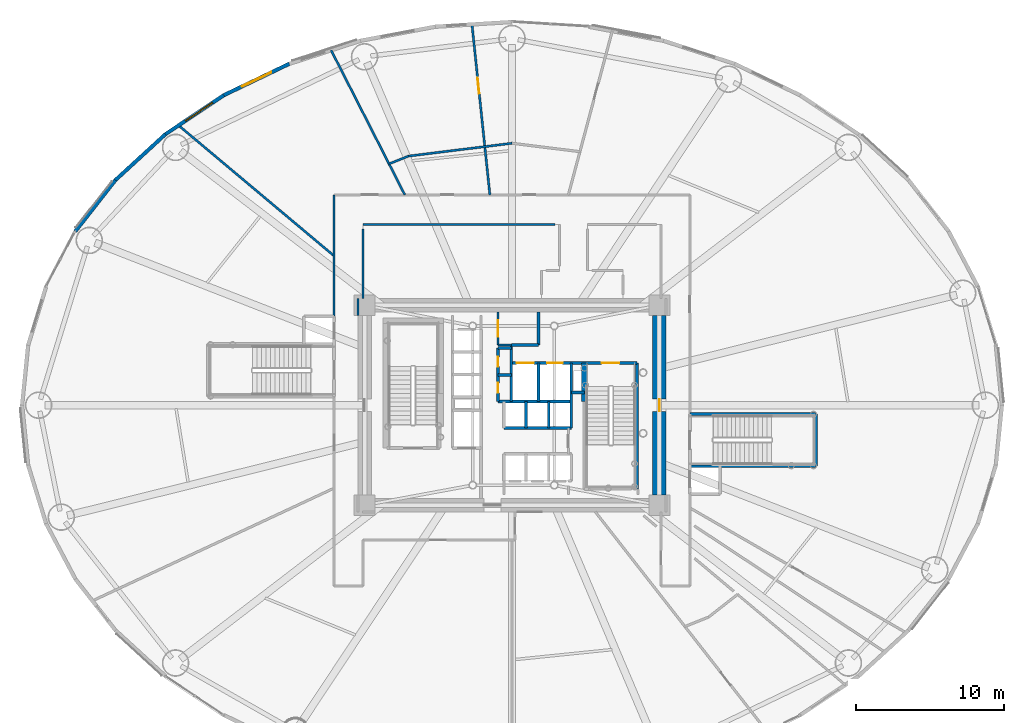
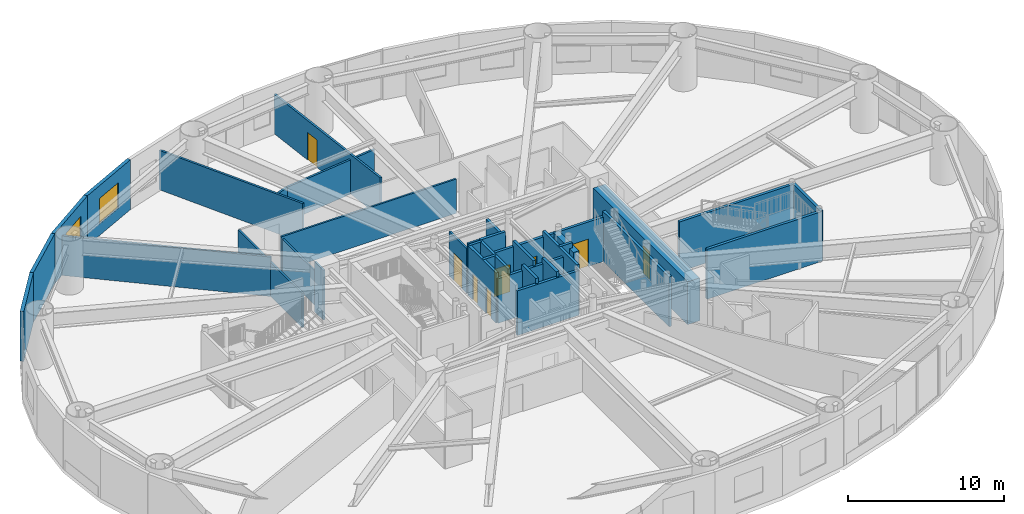
# One storey, part 15 of 27: 35 walls, 8 doors, 2 windows, 10 openings.
"""IFC4 building model written with IfcOpenShell, lengths in metres."""

from ifc_helpers import new_model, si_unit, direction, frame, frame_2d, origin, origin_2d, place, context, subcontext, project, spatial, rectangle, extrude, source, transform, mapped, material, layer, layer_set, type_object, element, fill, save


model = new_model("IFC4")

# Units and contexts
model_context = context("Model", 3, precision=1e-05, world=origin(), true_north=direction((0.0, 1.0)))
body_context = subcontext(model_context, "Body", "Model", "MODEL_VIEW")
ifc_project = project(units=[si_unit("LENGTHUNIT", "METRE"), si_unit("AREAUNIT", "SQUARE_METRE"), si_unit("VOLUMEUNIT", "CUBIC_METRE"), si_unit("PLANEANGLEUNIT", "RADIAN"), si_unit("MASSUNIT", "GRAM", prefix="KILO")], contexts=[model_context])

# Site, building, storey
site_placement = place(None, origin())
site = spatial("IfcSite", under=ifc_project, at=site_placement, CompositionType="ELEMENT")
building_placement = place(site_placement, origin())
building = spatial("IfcBuilding", under=site, at=building_placement, Name="Linh Dai School and Residence Tower", CompositionType="ELEMENT")
storey_placement = place(building_placement, frame((0.0, 0.0, 22.800048828125)))
storey = spatial("IfcBuildingStorey", under=building, at=storey_placement, Name="L05", CompositionType="ELEMENT", Elevation=22.800048828125)

# Wall, opening, window
ifc_material_1 = material(Name="Precast Concrete B45 (C35/45)", Category="concrete")
ifc_layer_1 = layer(ifc_material_1, 0.25)
ifc_layer_set_1 = layer_set([ifc_layer_1], Name="Precast Concrete B45 (C35/45)")
wall_type_1 = type_object("IfcWallType", Name="EW-TC-250", PredefinedType="SOLIDWALL", material=ifc_layer_set_1)
wall_1_placement = place(storey_placement, frame((16.54736328125, 47.92578125, 0.0), z_axis=(0.0, 0.0, 1.0), x_axis=(0.901559523397, 0.432655088692, 0.0)))
wall_1 = element("IfcWall", 1, at=wall_1_placement, inside=storey, type_object=wall_type_1, Name="L05 Terracotta Exterior Wall 14", PredefinedType="SOLIDWALL", context=body_context, shape_type="SweptSolid", body=[
    extrude(rectangle(XDim=4.909912109375, YDim=0.25, at=frame_2d((2.455078125, 0.0))), origin(), (0.0, 0.0, 1.0), 3.89990234375),
])
opening_1_placement = place(wall_1_placement, frame((1.35498046875, 0.0, 0.89990234375)))
opening_1 = element("IfcOpeningElement", 2, at=opening_1_placement, cuts=wall_1, Name="Opening W4", PredefinedType="OPENING", context=body_context, shape_type="SweptSolid", body=[
    extrude(rectangle(XDim=2.199951171875, YDim=2.0, at=origin_2d()), frame((1.10009765625, 0.135009765625, 1.0), z_axis=(0.0, -1.0, 0.0), x_axis=(1.0, 0.0, 0.0)), (0.0, 0.0, 1.0), 0.27001953125),
])
ifc_material_2 = material(Name="Acoustic Laminated Low-E Glazing", Category="glass")
window_type = type_object("IfcWindowType", Name="WN-SCH-2200x2000", PartitioningType="TRIPLE_PANEL_VERTICAL", PredefinedType="WINDOW", material=ifc_material_2)
shared_shape_1 = source(origin(), body_context, "Body", "SweptSolid", [
    extrude(rectangle(XDim=2.199951171875, YDim=2.0, at=origin_2d()), frame((1.10009765625, 0.030029296875, 1.0), z_axis=(0.0, -1.0, 0.0), x_axis=(1.0, 0.0, 0.0)), (0.0, 0.0, 1.0), 0.06005859375),
])
window_1_placement = place(opening_1_placement, origin())
window_1 = element("IfcWindow", 3, at=window_1_placement, inside=storey, type_object=window_type, Name="L05 Exterior Window 14.1", OverallHeight=2.0, OverallWidth=2.199951171875, PartitioningType="TRIPLE_PANEL_VERTICAL", PredefinedType="WINDOW", context=body_context, shape_type="MappedRepresentation", body=[
    mapped(shared_shape_1, transform((0.0, 0.0, 0.0), x_axis=(1.0, 0.0, 0.0), y_axis=(0.0, 1.0, 0.0), z_axis=(0.0, 0.0, 1.0), scale=1.0)),
])
fill(opening_1, window_1)

wall_2_placement = place(storey_placement, frame((12.60107421875, 45.286376953125, 0.0), z_axis=(0.0, 0.0, 1.0), x_axis=(0.831218664812, 0.555945618985, 0.0)))
wall_2 = element("IfcWall", 4, at=wall_2_placement, inside=storey, type_object=wall_type_1, Name="L05 Terracotta Exterior Wall 15", PredefinedType="SOLIDWALL", context=body_context, shape_type="SweptSolid", body=[
    extrude(rectangle(XDim=4.74755859375, YDim=0.25, at=frame_2d((2.373779296875, 0.0))), origin(), (0.0, 0.0, 1.0), 3.89990234375),
])
opening_2_placement = place(wall_2_placement, frame((1.635009765625, 0.0, 0.89990234375)))
opening_2 = element("IfcOpeningElement", 5, at=opening_2_placement, cuts=wall_2, Name="Opening W4", PredefinedType="OPENING", context=body_context, shape_type="SweptSolid", body=[
    extrude(rectangle(XDim=2.199951171875, YDim=2.0, at=origin_2d()), frame((1.10009765625, 0.135009765625, 1.0), z_axis=(0.0, -1.0, 0.0), x_axis=(1.0, 0.0, 0.0)), (0.0, 0.0, 1.0), 0.27001953125),
])
window_2_placement = place(opening_2_placement, origin())
window_2 = element("IfcWindow", 6, at=window_2_placement, inside=storey, type_object=window_type, Name="L05 Exterior Window 15.1", OverallHeight=2.0, OverallWidth=2.199951171875, PartitioningType="TRIPLE_PANEL_VERTICAL", PredefinedType="WINDOW", context=body_context, shape_type="MappedRepresentation", body=[
    mapped(shared_shape_1, transform((0.0, 0.0, 0.0), x_axis=(1.0, 0.0, 0.0), y_axis=(0.0, 1.0, 0.0), z_axis=(0.0, 0.0, 1.0), scale=1.0)),
])
fill(opening_2, window_2)

# Walls
wall_3_placement = place(storey_placement, frame((9.232177734375, 42.197509765625, 0.0), z_axis=(0.0, 0.0, 1.0), x_axis=(0.737076532105, 0.675809282136, 0.0)))
element("IfcWall", 7, at=wall_3_placement, inside=storey, type_object=wall_type_1, Name="L05 Terracotta Exterior Wall 16", PredefinedType="SOLIDWALL", context=body_context, shape_type="SweptSolid", body=[
    extrude(rectangle(XDim=4.570556640625, YDim=0.25, at=frame_2d((2.28515625, 0.0))), origin(), (0.0, 0.0, 1.0), 3.89990234375),
])
wall_4_placement = place(storey_placement, frame((6.5234375, 38.735595703125, 0.0), z_axis=(0.0, 0.0, 1.0), x_axis=(0.61622589112, 0.787569457961, 0.0)))
element("IfcWall", 8, at=wall_4_placement, inside=storey, type_object=wall_type_1, Name="L05 Terracotta Exterior Wall 17", PredefinedType="SOLIDWALL", context=body_context, shape_type="SweptSolid", body=[
    extrude(rectangle(XDim=4.395751953125, YDim=0.25, at=frame_2d((2.19775390625, 0.0))), origin(), (0.0, 0.0, 1.0), 3.89990234375),
])
ifc_material_3 = material(Name="Autoclaved Aerated Concrete Blockwork", Category="masonry")
ifc_layer_2 = layer(ifc_material_3, 0.135009765625)
ifc_layer_set_2 = layer_set([ifc_layer_2], Name="Autoclaved Aerated Concrete Blockwork")
wall_type_2 = type_object("IfcWallType", Name="IW-CORR-135-EI90", PredefinedType="PARTITIONING", material=ifc_layer_set_2)
wall_5_placement = place(storey_placement, frame((24.0, 33.010009765625, 0.0), z_axis=(0.0, 0.0, 1.0), x_axis=(0.0, 1.0, 0.0)))
element("IfcWall", 9, at=wall_5_placement, inside=storey, type_object=wall_type_2, Name="L05 Interior Partition Wall 012", PredefinedType="PARTITIONING", context=body_context, shape_type="SweptSolid", body=[
    extrude(rectangle(XDim=8.18994140625, YDim=0.135009765625, at=frame_2d((4.094970703125, 0.0))), origin(), (0.0, 0.0, 1.0), 2.68505859375),
])

# Wall, opening, door
wall_6_placement = place(storey_placement, frame((35.050048828125, 31.050048828125, 0.0), z_axis=(0.0, 0.0, 1.0), x_axis=(0.0, 1.0, 0.0)))
wall_6 = element("IfcWall", 10, at=wall_6_placement, inside=storey, type_object=wall_type_2, Name="L05 Interior Partition Wall 032", PredefinedType="PARTITIONING", context=body_context, shape_type="SweptSolid", body=[
    extrude(rectangle(XDim=2.25, YDim=0.135009765625, at=frame_2d((1.125, 0.0))), origin(), (0.0, 0.0, 1.0), 3.48486328125),
])
opening_3_placement = place(wall_6_placement, frame((0.574951171875, 0.0, 0.0)))
opening_3 = element("IfcOpeningElement", 11, at=opening_3_placement, cuts=wall_6, Name="Opening D07", PredefinedType="OPENING", context=body_context, shape_type="SweptSolid", body=[
    extrude(rectangle(XDim=1.10009765625, YDim=2.14990234375, at=origin_2d()), frame((0.550048828125, 0.07763671875, 1.074951171875), z_axis=(0.0, -1.0, 0.0), x_axis=(1.0, 0.0, 0.0)), (0.0, 0.0, 1.0), 0.155029296875),
])
ifc_material_4 = material(Name="Fire-Rated Louvred Steel Plant Door", Category="steel")
door_type_1 = type_object("IfcDoorType", Name="DR-PLT-1100x2150-FD60S", OperationType="NOTDEFINED", PredefinedType="DOOR", material=ifc_material_4)
shared_shape_2 = source(origin(), body_context, "Body", "SweptSolid", [
    extrude(rectangle(XDim=1.10009765625, YDim=2.14990234375, at=origin_2d()), frame((0.550048828125, 0.02490234375, 1.074951171875), z_axis=(0.0, -1.0, 0.0), x_axis=(1.0, 0.0, 0.0)), (0.0, 0.0, 1.0), 0.050048828125),
])
door_1_placement = place(opening_3_placement, origin())
door_1 = element("IfcDoor", 12, at=door_1_placement, inside=storey, type_object=door_type_1, Name="L05 North BMS Switchroom Door", OperationType="SINGLE_SWING_RIGHT", OverallHeight=2.14990234375, OverallWidth=1.10009765625, PredefinedType="DOOR", context=body_context, shape_type="MappedRepresentation", body=[
    mapped(shared_shape_2, transform((0.0, 0.0, 0.0), x_axis=(1.0, 0.0, 0.0), y_axis=(0.0, 1.0, 0.0), z_axis=(0.0, 0.0, 1.0), scale=1.0)),
])
fill(opening_3, door_1)

# Walls
wall_7_placement = place(storey_placement, frame((35.050048828125, 31.050048828125, 0.0), z_axis=(0.0, 0.0, 1.0), x_axis=(1.0, 0.0, 0.0)))
element("IfcWall", 13, at=wall_7_placement, inside=storey, type_object=wall_type_2, Name="L05 Interior Partition Wall 033", PredefinedType="PARTITIONING", context=body_context, shape_type="SweptSolid", body=[
    extrude(rectangle(XDim=0.89990234375, YDim=0.135009765625, at=frame_2d((0.449951171875, 0.0))), origin(), (0.0, 0.0, 1.0), 3.89990234375),
])
wall_8_placement = place(storey_placement, frame((38.892578125, 39.199951171875, 0.0), z_axis=(0.0, 0.0, 1.0), x_axis=(-1.0, 0.0, 0.0)))
element("IfcWall", 14, at=wall_8_placement, inside=storey, type_object=wall_type_2, Name="L05 Interior Partition Wall 096", PredefinedType="PARTITIONING", context=body_context, shape_type="SweptSolid", body=[
    extrude(rectangle(XDim=12.942626953125, YDim=0.135009765625, at=frame_2d((6.47119140625, 0.0))), origin(), (0.0, 0.0, 1.0), 2.68505859375),
])
wall_9_placement = place(storey_placement, frame((25.949951171875, 38.892578125, 0.0), z_axis=(0.0, 0.0, 1.0), x_axis=(0.0, -1.0, 0.0)))
element("IfcWall", 15, at=wall_9_placement, inside=storey, type_object=wall_type_2, Name="L05 Interior Partition Wall 097", PredefinedType="PARTITIONING", context=body_context, shape_type="SweptSolid", body=[
    extrude(rectangle(XDim=4.692626953125, YDim=0.135009765625, at=frame_2d((2.34619140625, 0.0))), origin(), (0.0, 0.0, 1.0), 2.68505859375),
])
wall_10_placement = place(storey_placement, frame((25.60009765625, 34.199951171875, 0.0), z_axis=(0.0, 0.0, 1.0), x_axis=(0.0, -1.0, 0.0)))
element("IfcWall", 16, at=wall_10_placement, inside=storey, type_object=wall_type_2, Name="L05 Interior Partition Wall 098", PredefinedType="PARTITIONING", context=body_context, shape_type="SweptSolid", body=[
    extrude(rectangle(XDim=1.139892578125, YDim=0.135009765625, at=frame_2d((0.56982421875, 0.0))), origin(), (0.0, 0.0, 1.0), 3.89990234375),
])
ifc_layer_3 = layer(ifc_material_3, 0.14990234375)
ifc_layer_set_3 = layer_set([ifc_layer_3], Name="Autoclaved Aerated Concrete Blockwork")
wall_type_3 = type_object("IfcWallType", Name="IW-SCH-150-EI60", PredefinedType="PARTITIONING", material=ifc_layer_set_3)
wall_11_placement = place(storey_placement, frame((13.49072265625, 45.887451171875, 0.0), z_axis=(0.0, 0.0, 1.0), x_axis=(0.766043415451, -0.642788834412, 0.0)))
element("IfcWall", 17, at=wall_11_placement, inside=storey, type_object=wall_type_3, Name="L05 Interior Partition Wall 002", PredefinedType="PARTITIONING", context=body_context, shape_type="SweptSolid", body=[
    extrude(rectangle(XDim=13.718994140625, YDim=0.14990234375, at=frame_2d((6.859375, 0.0))), origin(), (0.0, 0.0, 1.0), 3.0849609375),
])
wall_12_placement = place(storey_placement, frame((23.78759765625, 50.968017578125, 0.0), z_axis=(0.0, 0.0, 1.0), x_axis=(0.454006177252, -0.890998535923, 0.0)))
element("IfcWall", 18, at=wall_12_placement, inside=storey, type_object=wall_type_3, Name="L05 Interior Partition Wall 008", PredefinedType="PARTITIONING", context=body_context, shape_type="SweptSolid", body=[
    extrude(rectangle(XDim=10.963134765625, YDim=0.14990234375, at=frame_2d((5.4814453125, 0.0))), origin(), (0.0, 0.0, 1.0), 3.0849609375),
])
wall_13_placement = place(storey_placement, frame((27.701416015625, 43.287109375, 0.0), z_axis=(0.0, 0.0, 1.0), x_axis=(0.928795675894, 0.370592218539, 0.0)))
element("IfcWall", 19, at=wall_13_placement, inside=storey, type_object=wall_type_3, Name="L05 Interior Partition Wall 017", PredefinedType="PARTITIONING", context=body_context, shape_type="SweptSolid", body=[
    extrude(rectangle(XDim=1.423583984375, YDim=0.14990234375, at=frame_2d((0.7119140625, 0.0))), origin(), (0.0, 0.0, 1.0), 2.68505859375),
])
wall_14_placement = place(storey_placement, frame((29.023681640625, 43.814697265625, 0.0), z_axis=(0.0, 0.0, 1.0), x_axis=(0.992396567923, 0.1230814851, 0.0)))
element("IfcWall", 20, at=wall_14_placement, inside=storey, type_object=wall_type_3, Name="L05 Interior Partition Wall 018", PredefinedType="PARTITIONING", context=body_context, shape_type="SweptSolid", body=[
    extrude(rectangle(XDim=7.02978515625, YDim=0.14990234375, at=frame_2d((3.514892578125, 0.0))), origin(), (0.0, 0.0, 1.0), 2.68505859375),
])

# Wall, opening, door
wall_15_placement = place(storey_placement, frame((33.29736328125, 52.71337890625, 0.0), z_axis=(0.0, 0.0, 1.0), x_axis=(0.104536584826, -0.994521041725, 0.0)))
wall_15 = element("IfcWall", 21, at=wall_15_placement, inside=storey, type_object=wall_type_3, Name="L05 Interior Partition Wall 026", PredefinedType="PARTITIONING", context=body_context, shape_type="SweptSolid", body=[
    extrude(rectangle(XDim=11.576904296875, YDim=0.14990234375, at=frame_2d((5.78857421875, 0.0))), origin(), (0.0, 0.0, 1.0), 3.0849609375),
])
opening_4_placement = place(wall_15_placement, frame((3.648193359375, 0.0, 0.0)))
opening_4 = element("IfcOpeningElement", 22, at=opening_4_placement, cuts=wall_15, Name="Opening D04", PredefinedType="OPENING", context=body_context, shape_type="SweptSolid", body=[
    extrude(rectangle(XDim=1.050048828125, YDim=2.14990234375, at=origin_2d()), frame((0.52490234375, 0.0849609375, 1.074951171875), z_axis=(0.0, -1.0, 0.0), x_axis=(1.0, 0.0, 0.0)), (0.0, 0.0, 1.0), 0.169921875),
])
ifc_material_5 = material(Name="Acoustic Vision-Panel Timber Classroom Door", Category="wood")
door_type_2 = type_object("IfcDoorType", Name="DR-SCH-1050x2150-FD60S", OperationType="NOTDEFINED", PredefinedType="DOOR", material=ifc_material_5)
shared_shape_3 = source(origin(), body_context, "Body", "SweptSolid", [
    extrude(rectangle(XDim=1.050048828125, YDim=2.14990234375, at=origin_2d()), frame((0.52490234375, 0.02490234375, 1.074951171875), z_axis=(0.0, -1.0, 0.0), x_axis=(1.0, 0.0, 0.0)), (0.0, 0.0, 1.0), 0.050048828125),
])
door_2_placement = place(opening_4_placement, origin())
door_2 = element("IfcDoor", 23, at=door_2_placement, inside=storey, type_object=door_type_2, Name="L05 Resource Study Room CHG2 Door", OperationType="SINGLE_SWING_RIGHT", OverallHeight=2.14990234375, OverallWidth=1.050048828125, PredefinedType="DOOR", context=body_context, shape_type="MappedRepresentation", body=[
    mapped(shared_shape_3, transform((0.0, 0.0, 0.0), x_axis=(1.0, 0.0, 0.0), y_axis=(0.0, 1.0, 0.0), z_axis=(0.0, 0.0, 1.0), scale=1.0)),
])
fill(opening_4, door_2)

# Wall, openings, doors
ifc_material_6 = material(Name="Concrete B45 (C35/45)", Category="concrete")
ifc_layer_4 = layer(ifc_material_6, 0.199951171875)
ifc_layer_set_4 = layer_set([ifc_layer_4], Name="Concrete B45 (C35/45)")
wall_type_4 = type_object("IfcWallType", Name="IW-SHAFT-200-EI120", PredefinedType="PARTITIONING", material=ifc_layer_set_4)
wall_16_placement = place(storey_placement, frame((35.050048828125, 27.25, 0.0), z_axis=(0.0, 0.0, 1.0), x_axis=(0.0, 1.0, 0.0)))
wall_16 = element("IfcWall", 24, at=wall_16_placement, inside=storey, type_object=wall_type_4, Name="L05 Interior Partition Wall 028", PredefinedType="PARTITIONING", context=body_context, shape_type="SweptSolid", body=[
    extrude(rectangle(XDim=3.60009765625, YDim=0.199951171875, at=frame_2d((1.800048828125, 0.0))), origin(), (0.0, 0.0, 1.0), 3.89990234375),
])
opening_5_placement = place(wall_16_placement, frame((0.590087890625, 0.0, 0.0)))
opening_5 = element("IfcOpeningElement", 25, at=opening_5_placement, cuts=wall_16, Name="Opening AD1", PredefinedType="OPENING", context=body_context, shape_type="SweptSolid", body=[
    extrude(rectangle(XDim=0.659912109375, YDim=2.050048828125, at=origin_2d()), frame((0.330078125, 0.10986328125, 1.02490234375), z_axis=(0.0, -1.0, 0.0), x_axis=(1.0, 0.0, 0.0)), (0.0, 0.0, 1.0), 0.219970703125),
])
opening_6_placement = place(wall_16_placement, frame((2.35009765625, 0.0, 0.0)))
opening_6 = element("IfcOpeningElement", 26, at=opening_6_placement, cuts=wall_16, Name="Opening AD1", PredefinedType="OPENING", context=body_context, shape_type="SweptSolid", body=[
    extrude(rectangle(XDim=0.659912109375, YDim=2.050048828125, at=origin_2d()), frame((0.330078125, 0.10986328125, 1.02490234375), z_axis=(0.0, -1.0, 0.0), x_axis=(1.0, 0.0, 0.0)), (0.0, 0.0, 1.0), 0.219970703125),
])
ifc_material_7 = material(Name="Fire-Rated Steel Riser Access Door", Category="steel")
door_type_3 = type_object("IfcDoorType", Name="DR-ACC-660x2050-FD90S", OperationType="NOTDEFINED", PredefinedType="USERDEFINED", material=ifc_material_7)
shared_shape_4 = source(origin(), body_context, "Body", "SweptSolid", [
    extrude(rectangle(XDim=0.659912109375, YDim=2.050048828125, at=origin_2d()), frame((0.330078125, 0.02490234375, 1.02490234375), z_axis=(0.0, -1.0, 0.0), x_axis=(1.0, 0.0, 0.0)), (0.0, 0.0, 1.0), 0.050048828125),
])
door_3_placement = place(opening_5_placement, origin())
door_3 = element("IfcDoor", 27, at=door_3_placement, inside=storey, type_object=door_type_3, Name="L05 Telecom and Data Riser Access Door", ObjectType="ACCESS DOOR", OperationType="SINGLE_SWING_RIGHT", OverallHeight=2.050048828125, OverallWidth=0.659912109375, PredefinedType="USERDEFINED", context=body_context, shape_type="MappedRepresentation", body=[
    mapped(shared_shape_4, transform((0.0, 0.0, 0.0), x_axis=(1.0, 0.0, 0.0), y_axis=(0.0, 1.0, 0.0), z_axis=(0.0, 0.0, 1.0), scale=1.0)),
])
fill(opening_5, door_3)
door_4_placement = place(opening_6_placement, origin())
door_4 = element("IfcDoor", 28, at=door_4_placement, inside=storey, type_object=door_type_3, Name="L05 Mechanical and Plumbing Riser Access Door", ObjectType="ACCESS DOOR", OperationType="SINGLE_SWING_LEFT", OverallHeight=2.050048828125, OverallWidth=0.659912109375, PredefinedType="USERDEFINED", context=body_context, shape_type="MappedRepresentation", body=[
    mapped(shared_shape_4, transform((0.0, 0.0, 0.0), x_axis=(1.0, 0.0, 0.0), y_axis=(0.0, 1.0, 0.0), z_axis=(0.0, 0.0, 1.0), scale=1.0)),
])
fill(opening_6, door_4)

# Walls
wall_17_placement = place(storey_placement, frame((35.050048828125, 27.25, 0.0), z_axis=(0.0, 0.0, 1.0), x_axis=(1.0, 0.0, 0.0)))
element("IfcWall", 29, at=wall_17_placement, inside=storey, type_object=wall_type_4, Name="L05 Interior Partition Wall 029", PredefinedType="PARTITIONING", context=body_context, shape_type="SweptSolid", body=[
    extrude(rectangle(XDim=4.949951171875, YDim=0.199951171875, at=frame_2d((2.47509765625, 0.0))), origin(), (0.0, 0.0, 1.0), 3.48486328125),
])
for number, where, z_axis, x_axis, name in (
    (30, (35.050048828125, 29.050048828125, 0.0), (0.0, 0.0, 1.0), (1.0, 0.0, 0.0), "L05 Interior Partition Wall 030"),
    (31, (35.050048828125, 30.85009765625, 0.0), (0.0, 0.0, 1.0), (1.0, 0.0, 0.0), "L05 Interior Partition Wall 031"),
):
    element("IfcWall", number, at=place(storey_placement, frame(where, z_axis=z_axis, x_axis=x_axis)), inside=storey, type_object=wall_type_4, Name=name, PredefinedType="PARTITIONING", context=body_context, shape_type="SweptSolid", body=[
        extrude(rectangle(XDim=0.89990234375, YDim=0.199951171875, at=frame_2d((0.449951171875, 0.0))), origin(), (0.0, 0.0, 1.0), 3.89990234375),
    ])
wall_18_placement = place(storey_placement, frame((35.449951171875, 25.449951171875, 0.0), z_axis=(0.0, 0.0, 1.0), x_axis=(1.0, 0.0, 0.0)))
element("IfcWall", 32, at=wall_18_placement, inside=storey, type_object=wall_type_4, Name="L05 Interior Partition Wall 037", PredefinedType="PARTITIONING", context=body_context, shape_type="SweptSolid", body=[
    extrude(rectangle(XDim=4.550048828125, YDim=0.199951171875, at=frame_2d((2.27490234375, 0.0))), origin(), (0.0, 0.0, 1.0), 3.48486328125),
])
wall_19_placement = place(storey_placement, frame((35.949951171875, 27.25, 0.0), z_axis=(0.0, 0.0, 1.0), x_axis=(0.0, 1.0, 0.0)))
element("IfcWall", 33, at=wall_19_placement, inside=storey, type_object=wall_type_4, Name="L05 Interior Partition Wall 038", PredefinedType="PARTITIONING", context=body_context, shape_type="SweptSolid", body=[
    extrude(rectangle(XDim=3.800048828125, YDim=0.199951171875, at=frame_2d((1.89990234375, 0.0))), origin(), (0.0, 0.0, 1.0), 3.89990234375),
])

# Wall, openings, doors
wall_20_placement = place(storey_placement, frame((35.949951171875, 29.85009765625, 0.0), z_axis=(0.0, 0.0, 1.0), x_axis=(1.0, 0.0, 0.0)))
wall_20 = element("IfcWall", 34, at=wall_20_placement, inside=storey, type_object=wall_type_4, Name="L05 Interior Partition Wall 039", PredefinedType="PARTITIONING", context=body_context, shape_type="SweptSolid", body=[
    extrude(rectangle(XDim=8.489990234375, YDim=0.199951171875, at=frame_2d((4.2451171875, 0.0))), origin(), (0.0, 0.0, 1.0), 3.48486328125),
])
opening_7_placement = place(wall_20_placement, frame((6.10009765625, 0.0, 0.0)))
opening_7 = element("IfcOpeningElement", 35, at=opening_7_placement, cuts=wall_20, Name="Opening D01", PredefinedType="OPENING", context=body_context, shape_type="SweptSolid", body=[
    extrude(rectangle(XDim=1.199951171875, YDim=2.14990234375, at=origin_2d()), frame((0.60009765625, 0.10986328125, 1.074951171875), z_axis=(0.0, -1.0, 0.0), x_axis=(1.0, 0.0, 0.0)), (0.0, 0.0, 1.0), 0.219970703125),
])
opening_8_placement = place(wall_20_placement, frame((0.3701171875, 0.0, 0.0)))
opening_8 = element("IfcOpeningElement", 36, at=opening_8_placement, cuts=wall_20, Name="Opening LD-FF1", PredefinedType="OPENING", context=body_context, shape_type="SweptSolid", body=[
    extrude(rectangle(XDim=1.14990234375, YDim=2.14990234375, at=origin_2d()), frame((0.574951171875, 0.10986328125, 1.074951171875), z_axis=(0.0, -1.0, 0.0), x_axis=(1.0, 0.0, 0.0)), (0.0, 0.0, 1.0), 0.219970703125),
])
opening_9_placement = place(wall_20_placement, frame((2.425048828125, 0.0, 0.0)))
opening_9 = element("IfcOpeningElement", 37, at=opening_9_placement, cuts=wall_20, Name="Opening LD-SV1", PredefinedType="OPENING", context=body_context, shape_type="SweptSolid", body=[
    extrude(rectangle(XDim=1.050048828125, YDim=2.14990234375, at=origin_2d()), frame((0.52490234375, 0.10986328125, 1.074951171875), z_axis=(0.0, -1.0, 0.0), x_axis=(1.0, 0.0, 0.0)), (0.0, 0.0, 1.0), 0.219970703125),
])
ifc_material_8 = material(Name="Fire-Rated Steel Door Leaf", Category="steel")
door_type_4 = type_object("IfcDoorType", Name="DR-STAIR-1200x2150-FD90S", OperationType="NOTDEFINED", PredefinedType="DOOR", material=ifc_material_8)
shared_shape_5 = source(origin(), body_context, "Body", "SweptSolid", [
    extrude(rectangle(XDim=1.199951171875, YDim=2.14990234375, at=origin_2d()), frame((0.60009765625, 0.02490234375, 1.074951171875), z_axis=(0.0, -1.0, 0.0), x_axis=(1.0, 0.0, 0.0)), (0.0, 0.0, 1.0), 0.050048828125),
])
door_5_placement = place(opening_7_placement, origin())
door_5 = element("IfcDoor", 38, at=door_5_placement, inside=storey, type_object=door_type_4, Name="L05 Core Smokeproof Exit Stair ST2 Door", OperationType="SINGLE_SWING_LEFT", OverallHeight=2.14990234375, OverallWidth=1.199951171875, PredefinedType="DOOR", context=body_context, shape_type="MappedRepresentation", body=[
    mapped(shared_shape_5, transform((0.0, 0.0, 0.0), x_axis=(1.0, 0.0, 0.0), y_axis=(0.0, 1.0, 0.0), z_axis=(0.0, 0.0, 1.0), scale=1.0)),
])
fill(opening_7, door_5)
ifc_material_9 = material(Name="Fire-Rated Stainless Steel Firefighting Lift Door", Category="steel")
door_type_5 = type_object("IfcDoorType", Name="DR-LD-FF-1150x2150-FD120", OperationType="DOUBLE_DOOR_SLIDING", PredefinedType="USERDEFINED", material=ifc_material_9)
shared_shape_6 = source(origin(), body_context, "Body", "SweptSolid", [
    extrude(rectangle(XDim=1.14990234375, YDim=2.14990234375, at=origin_2d()), frame((0.574951171875, 0.02490234375, 1.074951171875), z_axis=(0.0, -1.0, 0.0), x_axis=(1.0, 0.0, 0.0)), (0.0, 0.0, 1.0), 0.050048828125),
])
door_6_placement = place(opening_8_placement, origin())
door_6 = element("IfcDoor", 39, at=door_6_placement, inside=storey, type_object=door_type_5, Name="L05 Lift FF1 Sliding Landing Door", ObjectType="LANDING DOOR", OperationType="DOUBLE_DOOR_SLIDING", OverallHeight=2.14990234375, OverallWidth=1.14990234375, PredefinedType="USERDEFINED", context=body_context, shape_type="MappedRepresentation", body=[
    mapped(shared_shape_6, transform((0.0, 0.0, 0.0), x_axis=(1.0, 0.0, 0.0), y_axis=(0.0, 1.0, 0.0), z_axis=(0.0, 0.0, 1.0), scale=1.0)),
])
fill(opening_8, door_6)
ifc_material_10 = material(Name="Brushed Stainless Steel Lift Landing Door", Category="steel")
door_type_6 = type_object("IfcDoorType", Name="DR-LD-PASS-1050x2150", OperationType="DOUBLE_DOOR_SLIDING", PredefinedType="USERDEFINED", material=ifc_material_10)
shared_shape_7 = source(origin(), body_context, "Body", "SweptSolid", [
    extrude(rectangle(XDim=1.050048828125, YDim=2.14990234375, at=origin_2d()), frame((0.52490234375, 0.02490234375, 1.074951171875), z_axis=(0.0, -1.0, 0.0), x_axis=(1.0, 0.0, 0.0)), (0.0, 0.0, 1.0), 0.050048828125),
])
door_7_placement = place(opening_9_placement, origin())
door_7 = element("IfcDoor", 40, at=door_7_placement, inside=storey, type_object=door_type_6, Name="L05 Lift SV1 Sliding Landing Door", ObjectType="LANDING DOOR", OperationType="DOUBLE_DOOR_SLIDING", OverallHeight=2.14990234375, OverallWidth=1.050048828125, PredefinedType="USERDEFINED", context=body_context, shape_type="MappedRepresentation", body=[
    mapped(shared_shape_7, transform((0.0, 0.0, 0.0), x_axis=(1.0, 0.0, 0.0), y_axis=(0.0, 1.0, 0.0), z_axis=(0.0, 0.0, 1.0), scale=1.0)),
])
fill(opening_9, door_7)

# Walls
wall_21_placement = place(storey_placement, frame((35.9599609375, 31.050048828125, 0.0), z_axis=(0.0, 0.0, 1.0), x_axis=(1.0, 0.0, 0.0)))
element("IfcWall", 41, at=wall_21_placement, inside=storey, type_object=wall_type_4, Name="L05 Interior Partition Wall 040", PredefinedType="PARTITIONING", context=body_context, shape_type="SweptSolid", body=[
    extrude(rectangle(XDim=1.840087890625, YDim=0.199951171875, at=frame_2d((0.919921875, 0.0))), origin(), (0.0, 0.0, 1.0), 3.89990234375),
])
wall_22_placement = place(storey_placement, frame((36.9599609375, 25.449951171875, 0.0), z_axis=(0.0, 0.0, 1.0), x_axis=(0.0, 1.0, 0.0)))
element("IfcWall", 42, at=wall_22_placement, inside=storey, type_object=wall_type_4, Name="L05 Interior Partition Wall 045", PredefinedType="PARTITIONING", context=body_context, shape_type="SweptSolid", body=[
    extrude(rectangle(XDim=1.800048828125, YDim=0.199951171875, at=frame_2d((0.89990234375, 0.0))), origin(), (0.0, 0.0, 1.0), 3.89990234375),
])
wall_23_placement = place(storey_placement, frame((37.800048828125, 27.25, 0.0), z_axis=(0.0, 0.0, 1.0), x_axis=(0.0, 1.0, 0.0)))
element("IfcWall", 43, at=wall_23_placement, inside=storey, type_object=wall_type_4, Name="L05 Interior Partition Wall 046", PredefinedType="PARTITIONING", context=body_context, shape_type="SweptSolid", body=[
    extrude(rectangle(XDim=2.60009765625, YDim=0.199951171875, at=frame_2d((1.300048828125, 0.0))), origin(), (0.0, 0.0, 1.0), 3.89990234375),
])
wall_24_placement = place(storey_placement, frame((37.800048828125, 31.050048828125, 0.0), z_axis=(0.0, 0.0, 1.0), x_axis=(0.0, 1.0, 0.0)))
element("IfcWall", 44, at=wall_24_placement, inside=storey, type_object=wall_type_4, Name="L05 Interior Partition Wall 047", PredefinedType="PARTITIONING", context=body_context, shape_type="SweptSolid", body=[
    extrude(rectangle(XDim=2.25, YDim=0.199951171875, at=frame_2d((1.125, 0.0))), origin(), (0.0, 0.0, 1.0), 3.48486328125),
])
wall_25_placement = place(storey_placement, frame((38.47998046875, 25.449951171875, 0.0), z_axis=(0.0, 0.0, 1.0), x_axis=(0.0, 1.0, 0.0)))
element("IfcWall", 45, at=wall_25_placement, inside=storey, type_object=wall_type_4, Name="L05 Interior Partition Wall 049", PredefinedType="PARTITIONING", context=body_context, shape_type="SweptSolid", body=[
    extrude(rectangle(XDim=1.800048828125, YDim=0.199951171875, at=frame_2d((0.89990234375, 0.0))), origin(), (0.0, 0.0, 1.0), 3.89990234375),
])
wall_26_placement = place(storey_placement, frame((40.0, 25.449951171875, 0.0), z_axis=(0.0, 0.0, 1.0), x_axis=(0.0, 1.0, 0.0)))
element("IfcWall", 46, at=wall_26_placement, inside=storey, type_object=wall_type_4, Name="L05 Interior Partition Wall 054", PredefinedType="PARTITIONING", context=body_context, shape_type="SweptSolid", body=[
    extrude(rectangle(XDim=4.400146484375, YDim=0.199951171875, at=frame_2d((2.2001953125, 0.0))), origin(), (0.0, 0.0, 1.0), 3.89990234375),
])
wall_27_placement = place(storey_placement, frame((40.0, 27.85009765625, 0.0), z_axis=(0.0, 0.0, 1.0), x_axis=(1.0, 0.0, 0.0)))
element("IfcWall", 47, at=wall_27_placement, inside=storey, type_object=wall_type_4, Name="L05 Interior Partition Wall 055", PredefinedType="PARTITIONING", context=body_context, shape_type="SweptSolid", body=[
    extrude(rectangle(XDim=0.89990234375, YDim=0.199951171875, at=frame_2d((0.449951171875, 0.0))), origin(), (0.0, 0.0, 1.0), 3.89990234375),
])
for number, where, z_axis, x_axis, name in (
    (48, (44.43994140625, 21.330078125, 0.0), (0.0, 0.0, 1.0), (0.0, 1.0, 0.0), "L05 Interior Partition Wall 059"),
    (49, (48.0, 22.8798828125, 0.0), (0.0, 0.0, 1.0), (1.0, 0.0, 0.0), "L05 Interior Partition Wall 068"),
    (50, (48.0, 26.419921875, 0.0), (0.0, 0.0, 1.0), (1.0, 0.0, 0.0), "L05 Interior Partition Wall 070"),
):
    element("IfcWall", number, at=place(storey_placement, frame(where, z_axis=z_axis, x_axis=x_axis)), inside=storey, type_object=wall_type_4, Name=name, PredefinedType="PARTITIONING", context=body_context, shape_type="SweptSolid", body=[
        extrude(rectangle(XDim=8.52001953125, YDim=0.199951171875, at=frame_2d((4.260009765625, 0.0))), origin(), (0.0, 0.0, 1.0), 3.89990234375),
    ])
wall_28_placement = place(storey_placement, frame((56.52001953125, 22.8798828125, 0.0), z_axis=(0.0, 0.0, 1.0), x_axis=(0.0, 1.0, 0.0)))
element("IfcWall", 51, at=wall_28_placement, inside=storey, type_object=wall_type_4, Name="L05 Interior Partition Wall 073", PredefinedType="PARTITIONING", context=body_context, shape_type="SweptSolid", body=[
    extrude(rectangle(XDim=3.5400390625, YDim=0.199951171875, at=frame_2d((1.77001953125, 0.0))), origin(), (0.0, 0.0, 1.0), 3.89990234375),
])
ifc_layer_5 = layer(ifc_material_6, 0.39990234375)
ifc_layer_set_5 = layer_set([ifc_layer_5], Name="Concrete B45 (C35/45)")
wall_type_5 = type_object("IfcWallType", Name="WL-CORE400", PredefinedType="SHEAR", material=ifc_layer_set_5)
wall_29_placement = place(storey_placement, frame((40.89990234375, 27.25, 0.0), z_axis=(0.0, 0.0, 1.0), x_axis=(0.0, 1.0, 0.0)))
element("IfcWall", 52, at=wall_29_placement, inside=storey, type_object=wall_type_5, Name="L05 Internal Core Shear Wall IE", PredefinedType="SHEAR", context=body_context, shape_type="SweptSolid", body=[
    extrude(rectangle(XDim=2.60009765625, YDim=0.39990234375, at=frame_2d((1.300048828125, 0.0))), origin(), (0.0, 0.0, 1.0), 3.5),
])

# Wall, opening, door
ifc_material_11 = material(Name="Concrete B60 (C50/60)", Category="concrete")
ifc_layer_6 = layer(ifc_material_11, 0.89990234375)
ifc_layer_set_6 = layer_set([ifc_layer_6], Name="Concrete B60 (C50/60)")
wall_type_6 = type_object("IfcWallType", Name="WL-CORE900", PredefinedType="SHEAR", material=ifc_layer_set_6)
wall_30_placement = place(storey_placement, frame((45.949951171875, 33.050048828125, 0.0), z_axis=(0.0, 0.0, 1.0), x_axis=(0.0, -1.0, 0.0)))
wall_30 = element("IfcWall", 53, at=wall_30_placement, inside=storey, type_object=wall_type_6, Name="L05 Central Core Shear Wall E", PredefinedType="SHEAR", context=body_context, shape_type="SweptSolid", body=[
    extrude(rectangle(XDim=12.10009765625, YDim=0.89990234375, at=frame_2d((6.050048828125, 0.0))), origin(), (0.0, 0.0, 1.0), 3.349853515625),
])
opening_10_placement = place(wall_30_placement, frame((5.639892578125, 0.0, 0.0)))
opening_10 = element("IfcOpeningElement", 54, at=opening_10_placement, cuts=wall_30, Name="Opening D06", PredefinedType="OPENING", context=body_context, shape_type="SweptSolid", body=[
    extrude(rectangle(XDim=0.820068359375, YDim=2.10009765625, at=origin_2d()), frame((0.41015625, 0.4599609375, 1.050048828125), z_axis=(0.0, -1.0, 0.0), x_axis=(1.0, 0.0, 0.0)), (0.0, 0.0, 1.0), 0.919921875),
])
ifc_material_12 = material(Name="Moisture-Resistant Timber Bathroom Door", Category="wood")
door_type_7 = type_object("IfcDoorType", Name="DR-WET-820x2100", OperationType="NOTDEFINED", PredefinedType="DOOR", material=ifc_material_12)
shared_shape_8 = source(origin(), body_context, "Body", "SweptSolid", [
    extrude(rectangle(XDim=0.820068359375, YDim=2.10009765625, at=origin_2d()), frame((0.41015625, 0.02490234375, 1.050048828125), z_axis=(0.0, -1.0, 0.0), x_axis=(1.0, 0.0, 0.0)), (0.0, 0.0, 1.0), 0.050048828125),
])
door_8_placement = place(opening_10_placement, origin())
door_8 = element("IfcDoor", 55, at=door_8_placement, inside=storey, type_object=door_type_7, Name="L05 Firefighting Lobby Door", OperationType="SINGLE_SWING_RIGHT", OverallHeight=2.10009765625, OverallWidth=0.820068359375, PredefinedType="DOOR", context=body_context, shape_type="MappedRepresentation", body=[
    mapped(shared_shape_8, transform((0.0, 0.0, 0.0), x_axis=(1.0, 0.0, 0.0), y_axis=(0.0, 1.0, 0.0), z_axis=(0.0, 0.0, 1.0), scale=1.0)),
])
fill(opening_10, door_8)

save(model, "model.ifc")
